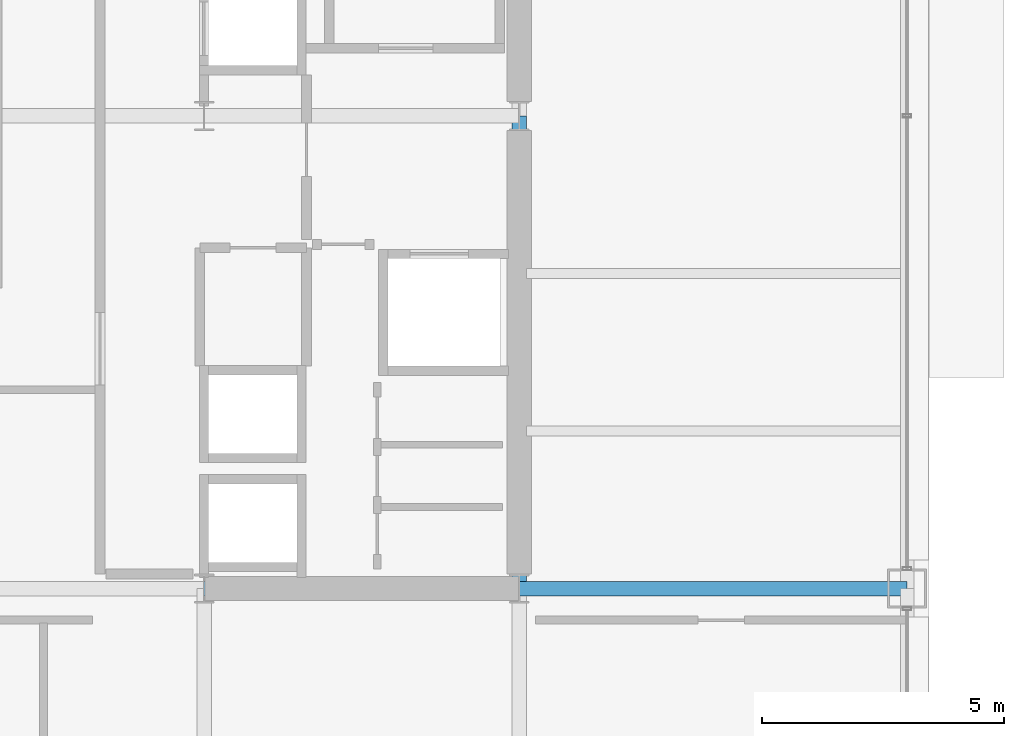
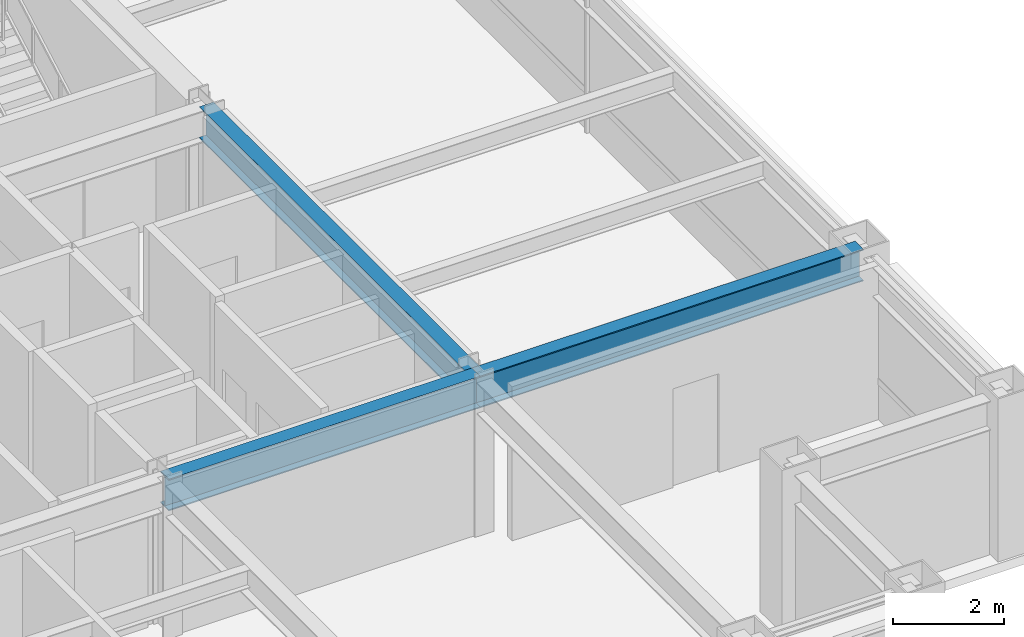
# One storey, part 12 of 28: 3 beams.
"""IFC4 building model written with IfcOpenShell, lengths in metres."""

from ifc_helpers import new_model, si_unit, direction, frame, origin, origin_2d, place, context, subcontext, project, spatial, i_section, extrude, material, material_profile, profile_set, type_object, element, save


model = new_model("IFC4")

# Units and contexts
model_context = context("Model", 3, precision=1e-05, world=origin(), true_north=direction((0.0, 1.0)))
body_context = subcontext(model_context, "Body", "Model", "MODEL_VIEW")
ifc_project = project(units=[si_unit("LENGTHUNIT", "METRE"), si_unit("AREAUNIT", "SQUARE_METRE"), si_unit("VOLUMEUNIT", "CUBIC_METRE"), si_unit("PLANEANGLEUNIT", "RADIAN"), si_unit("MASSUNIT", "GRAM", prefix="KILO")], contexts=[model_context])

# Site, building, storey
site_placement = place(None, origin())
site = spatial("IfcSite", under=ifc_project, at=site_placement, CompositionType="ELEMENT")
building_placement = place(site_placement, origin())
building = spatial("IfcBuilding", under=site, at=building_placement, Name="Brelmoor Portico Tower", CompositionType="ELEMENT")
storey_placement = place(building_placement, frame((0.0, 0.0, 142.199951171875)))
storey = spatial("IfcBuildingStorey", under=building, at=storey_placement, Name="L37", CompositionType="ELEMENT", Elevation=142.199951171875)

# Beams
ifc_material = material(Name="Steel Q355B", Category="steel")
ifc_material_profile = material_profile(ifc_material, i_section(OverallWidth=0.300048828125, OverallDepth=0.699951171875, WebThickness=0.012939453125, FlangeThickness=0.02392578125, at=origin_2d()), Name="HN 700x300x13x24")
ifc_profile_set = profile_set([ifc_material_profile], Name="Steel Q355B")
beam_type = type_object("IfcBeamType", Name="BM-PG-700", PredefinedType="BEAM", material=ifc_profile_set)
beam_1_placement = place(storey_placement, frame((14.550048828125, -9.75, 3.050048828125), z_axis=(0.0, 1.0, 0.0), x_axis=(-1.0, 0.0, 0.0)))
element("IfcBeam", 1, at=beam_1_placement, inside=storey, type_object=beam_type, Name="L37 Primary Floor Girder PG-11", PredefinedType="BEAM", context=body_context, shape_type="SweptSolid", body=[
    extrude(i_section(OverallWidth=0.300048828125, OverallDepth=0.699951171875, WebThickness=0.012939453125, FlangeThickness=0.02392578125, at=origin_2d()), origin(), (0.0, 0.0, 1.0), 9.75),
])
beam_2_placement = place(storey_placement, frame((8.050048828125, -9.75, 3.050048828125), z_axis=(1.0, 0.0, 0.0), x_axis=(0.0, 1.0, 0.0)))
element("IfcBeam", 2, at=beam_2_placement, inside=storey, type_object=beam_type, Name="L37 Primary Floor Girder PG-17", PredefinedType="BEAM", context=body_context, shape_type="SweptSolid", body=[
    extrude(i_section(OverallWidth=0.300048828125, OverallDepth=0.699951171875, WebThickness=0.012939453125, FlangeThickness=0.02392578125, at=origin_2d()), origin(), (0.0, 0.0, 1.0), 6.5),
])
beam_3_placement = place(storey_placement, frame((14.550048828125, -9.75, 3.050048828125), z_axis=(1.0, 0.0, 0.0), x_axis=(0.0, 1.0, 0.0)))
element("IfcBeam", 3, at=beam_3_placement, inside=storey, type_object=beam_type, Name="L37 Primary Floor Girder PG-18", PredefinedType="BEAM", context=body_context, shape_type="SweptSolid", body=[
    extrude(i_section(OverallWidth=0.300048828125, OverallDepth=0.699951171875, WebThickness=0.012939453125, FlangeThickness=0.02392578125, at=origin_2d()), origin(), (0.0, 0.0, 1.0), 8.0),
])

save(model, "model.ifc")
